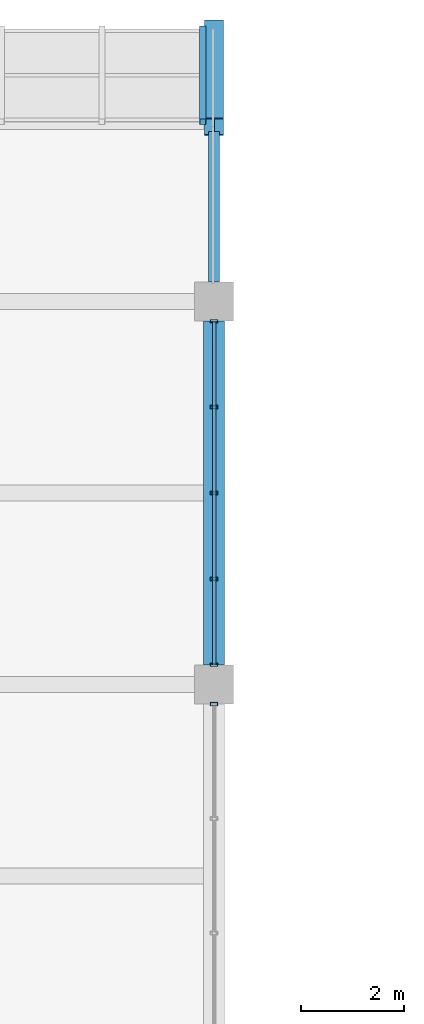
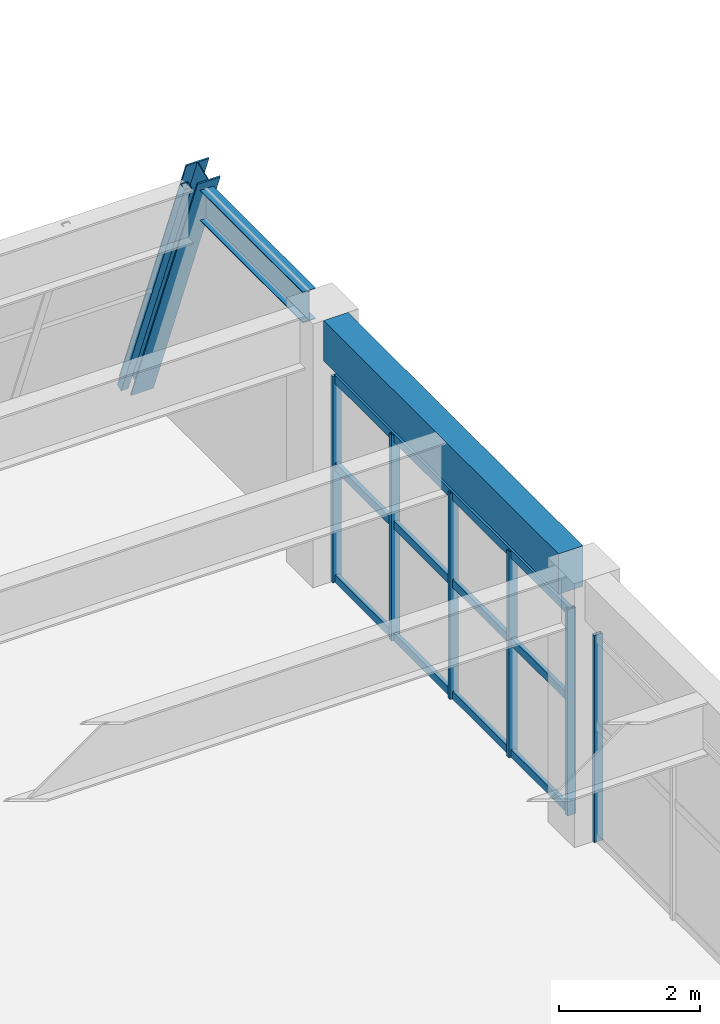
# One storey, part 104 of 161: 11 members, 2 beams, 3 elements without a shape of their own.
"""IFC4 building model written with IfcOpenShell, lengths in metres."""

from ifc_helpers import new_model, si_unit, direction, frame, origin, origin_2d, place, context, subcontext, project, spatial, rectangle, hollow_rectangle, i_section, extrude, material, material_profile, profile_set, type_object, element, aggregate, save


model = new_model("IFC4")

# Units and contexts
model_context = context("Model", 3, precision=1e-05, world=origin(), true_north=direction((0.0, 1.0)))
body_context = subcontext(model_context, "Body", "Model", "MODEL_VIEW")
ifc_project = project(units=[si_unit("LENGTHUNIT", "METRE"), si_unit("AREAUNIT", "SQUARE_METRE"), si_unit("VOLUMEUNIT", "CUBIC_METRE"), si_unit("PLANEANGLEUNIT", "RADIAN"), si_unit("MASSUNIT", "GRAM", prefix="KILO")], contexts=[model_context])

# Site, building, storey
site_placement = place(None, origin())
site = spatial("IfcSite", under=ifc_project, at=site_placement, CompositionType="ELEMENT")
building_placement = place(site_placement, origin())
building = spatial("IfcBuilding", under=site, at=building_placement, Name="Cimatlan Art Gallery", CompositionType="ELEMENT")
storey_placement = place(building_placement, frame((0.0, 0.0, 5.39990234375)))
storey = spatial("IfcBuildingStorey", under=building, at=storey_placement, Name="L01", CompositionType="ELEMENT", Elevation=5.39990234375)

# Beams
ifc_material_1 = material(Name="Concrete C40/50", Category="concrete")
ifc_material_profile_1 = material_profile(ifc_material_1, rectangle(XDim=0.39990234375, YDim=0.699951171875, at=origin_2d()), Name="RC400X700")
ifc_profile_set_1 = profile_set([ifc_material_profile_1], Name="Concrete C40/50")
beam_type_1 = type_object("IfcBeamType", Name="BM-RC-400X700", PredefinedType="BEAM", material=ifc_profile_set_1)
beam_1_placement = place(storey_placement, frame((99.199951171875, 98.27490234375, 4.210205078125), z_axis=(0.0, 1.0, 0.0), x_axis=(-1.0, 0.0, 0.0)))
element("IfcBeam", 1, at=beam_1_placement, inside=storey, type_object=beam_type_1, Name="BM-Y-L01-12-13", PredefinedType="BEAM", context=body_context, shape_type="SweptSolid", body=[
    extrude(rectangle(XDim=0.39990234375, YDim=0.699951171875, at=origin_2d()), origin(), (0.0, 0.0, 1.0), 6.650146484375),
])
ifc_material_2 = material(Name="Steel ASTM A992 Grade 50", Category="steel")
ifc_material_profile_2 = material_profile(ifc_material_2, i_section(OverallWidth=0.2099609375, OverallDepth=0.532958984375, WebThickness=0.01025390625, FlangeThickness=0.015625, at=origin_2d()), Name="W21X62")
ifc_profile_set_2 = profile_set([ifc_material_profile_2], Name="Steel ASTM A992 Grade 50")
beam_type_2 = type_object("IfcBeamType", Name="BM-STL-W21X62", PredefinedType="BEAM", material=ifc_profile_set_2)
beam_2_placement = place(storey_placement, frame((99.199951171875, 105.675048828125, 4.293701171875), z_axis=(0.0, 1.0, 0.0), x_axis=(-1.0, 0.0, 0.0)))
element("IfcBeam", 2, at=beam_2_placement, inside=storey, type_object=beam_type_2, Name="BM-PRW-Y-L01-B3-12", PredefinedType="BEAM", context=body_context, shape_type="SweptSolid", body=[
    extrude(i_section(OverallWidth=0.2099609375, OverallDepth=0.532958984375, WebThickness=0.01025390625, FlangeThickness=0.015625, at=origin_2d()), origin(), (0.0, 0.0, 1.0), 2.91162109375),
])

# Curtain wall, member
ifc_material_3 = material(Name="Anodised bronze unitised curtain wall")
curtain_wall_type_1 = type_object("IfcCurtainWallType", Name="CW-V-06642X03577-B3", PredefinedType="NOTDEFINED", material=ifc_material_3)
curtain_wall_1_placement = place(storey_placement, origin())
curtain_wall_1 = element("IfcCurtainWall", 3, at=curtain_wall_1_placement, inside=storey, type_object=curtain_wall_type_1, Name="CW-L01-11-12-E", PredefinedType="NOTDEFINED")
ifc_material_4 = material(Name="Anodised bronze aluminium 6063-T6", Category="aluminium")
ifc_material_profile_3 = material_profile(ifc_material_4, hollow_rectangle(XDim=0.06494140625, YDim=0.139892578125, WallThickness=0.00390625, at=origin_2d()), Name="ALU65X140X4")
ifc_profile_set_3 = profile_set([ifc_material_profile_3], Name="Anodised bronze aluminium 6063-T6")
member_type_1 = type_object("IfcMemberType", Name="CW-MUL-140", PredefinedType="MULLION", material=ifc_profile_set_3)
member_1_placement = place(storey_placement, frame((99.199951171875, 97.52099609375, 0.0), z_axis=(0.0, 0.0, 1.0), x_axis=(0.0, 1.0, 0.0)))
member_1 = element("IfcMember", 4, at=member_1_placement, type_object=member_type_1, Name="CW-L01-11-12-E-M1", PredefinedType="MULLION", context=body_context, shape_type="SweptSolid", body=[
    extrude(hollow_rectangle(XDim=0.06494140625, YDim=0.139892578125, WallThickness=0.00390625, at=origin_2d()), origin(), (0.0, 0.0, 1.0), 3.5771484375),
])
aggregate(curtain_wall_1, [member_1])

# Curtain wall, members
curtain_wall_type_2 = type_object("IfcCurtainWallType", Name="CW-V-06642X03562-B4", PredefinedType="NOTDEFINED", material=ifc_material_3)
curtain_wall_2_placement = place(storey_placement, origin())
curtain_wall_2 = element("IfcCurtainWall", 5, at=curtain_wall_2_placement, inside=storey, type_object=curtain_wall_type_2, Name="CW-L01-11-13-E", PredefinedType="NOTDEFINED")
member_2_placement = place(storey_placement, frame((99.199951171875, 104.9208984375, 0.0), z_axis=(0.0, 0.0, 1.0), x_axis=(0.0, 1.0, 0.0)))
member_2 = element("IfcMember", 6, at=member_2_placement, type_object=member_type_1, Name="CW-L01-11-13-E-M1", PredefinedType="MULLION", context=body_context, shape_type="SweptSolid", body=[
    extrude(hollow_rectangle(XDim=0.06494140625, YDim=0.139892578125, WallThickness=0.00390625, at=origin_2d()), origin(), (0.0, 0.0, 1.0), 3.56201171875),
])
member_3_placement = place(storey_placement, frame((99.199951171875, 103.260498046875, 0.0), z_axis=(0.0, 0.0, 1.0), x_axis=(0.0, 1.0, 0.0)))
member_3 = element("IfcMember", 7, at=member_3_placement, type_object=member_type_1, Name="CW-L01-11-13-E-M2", PredefinedType="MULLION", context=body_context, shape_type="SweptSolid", body=[
    extrude(hollow_rectangle(XDim=0.06494140625, YDim=0.139892578125, WallThickness=0.00390625, at=origin_2d()), origin(), (0.0, 0.0, 1.0), 3.56201171875),
])
member_4_placement = place(storey_placement, frame((99.199951171875, 101.60009765625, 0.0), z_axis=(0.0, 0.0, 1.0), x_axis=(0.0, 1.0, 0.0)))
member_4 = element("IfcMember", 8, at=member_4_placement, type_object=member_type_1, Name="CW-L01-11-13-E-M3", PredefinedType="MULLION", context=body_context, shape_type="SweptSolid", body=[
    extrude(hollow_rectangle(XDim=0.06494140625, YDim=0.139892578125, WallThickness=0.00390625, at=origin_2d()), origin(), (0.0, 0.0, 1.0), 3.56201171875),
])
member_5_placement = place(storey_placement, frame((99.199951171875, 99.939453125, 0.0), z_axis=(0.0, 0.0, 1.0), x_axis=(0.0, 1.0, 0.0)))
member_5 = element("IfcMember", 9, at=member_5_placement, type_object=member_type_1, Name="CW-L01-11-13-E-M4", PredefinedType="MULLION", context=body_context, shape_type="SweptSolid", body=[
    extrude(hollow_rectangle(XDim=0.06494140625, YDim=0.139892578125, WallThickness=0.00390625, at=origin_2d()), origin(), (0.0, 0.0, 1.0), 3.56201171875),
])
member_6_placement = place(storey_placement, frame((99.199951171875, 98.279052734375, 0.0), z_axis=(0.0, 0.0, 1.0), x_axis=(0.0, 1.0, 0.0)))
member_6 = element("IfcMember", 10, at=member_6_placement, type_object=member_type_1, Name="CW-L01-11-13-E-M5", PredefinedType="MULLION", context=body_context, shape_type="SweptSolid", body=[
    extrude(hollow_rectangle(XDim=0.06494140625, YDim=0.139892578125, WallThickness=0.00390625, at=origin_2d()), origin(), (0.0, 0.0, 1.0), 3.56201171875),
])

# Curtain wall, member
ifc_material_5 = material(Name="Raked steel-and-bronze lancet curtain wall", Category="steel")
curtain_wall_type_3 = type_object("IfcCurtainWallType", Name="CW-RAK-07790X04901-B4", PredefinedType="NOTDEFINED", material=ifc_material_5)
curtain_wall_3_placement = place(storey_placement, origin())
curtain_wall_3 = element("IfcCurtainWall", 11, at=curtain_wall_3_placement, inside=storey, type_object=curtain_wall_type_3, Name="CW-PROW-L01-B3-11", PredefinedType="NOTDEFINED")
ifc_material_6 = material(Name="Steel ASTM A500 Grade C", Category="steel")
ifc_material_profile_4 = material_profile(ifc_material_6, hollow_rectangle(XDim=0.1201171875, YDim=0.1201171875, WallThickness=0.00634765625, at=origin_2d()), Name="HSS120X120X6")
ifc_profile_set_4 = profile_set([ifc_material_profile_4], Name="Steel ASTM A500 Grade C")
member_type_2 = type_object("IfcMemberType", Name="CW-MUL-RAK", PredefinedType="MULLION", material=ifc_profile_set_4)
member_7_placement = place(storey_placement, frame((98.97998046875, 110.572998046875, 0.0), z_axis=(0.0, -0.366524518382, 0.930408392817), x_axis=(1.0, 0.0, 0.0)))
member_7 = element("IfcMember", 12, at=member_7_placement, type_object=member_type_2, Name="CW-PROW-L01-B3-11-M5", PredefinedType="MULLION", context=body_context, shape_type="SweptSolid", body=[
    extrude(hollow_rectangle(XDim=0.1201171875, YDim=0.1201171875, WallThickness=0.00634765625, at=origin_2d()), origin(), (0.0, 0.0, 1.0), 4.901123046875),
])
aggregate(curtain_wall_3, [member_7])

# Member
ifc_material_profile_5 = material_profile(ifc_material_4, hollow_rectangle(XDim=0.06494140625, YDim=0.139892578125, WallThickness=0.00390625, at=origin_2d()), Name="ALU65X140X4")
ifc_profile_set_5 = profile_set([ifc_material_profile_5], Name="Anodised bronze aluminium 6063-T6")
member_type_3 = type_object("IfcMemberType", Name="CW-TRN-140", PredefinedType="USERDEFINED", material=ifc_profile_set_5)
member_8_placement = place(storey_placement, frame((99.199951171875, 104.9208984375, 0.06005859375), z_axis=(0.0, -1.0, 0.0), x_axis=(1.0, 0.0, 0.0)))
member_8 = element("IfcMember", 13, at=member_8_placement, type_object=member_type_3, Name="CW-L01-11-13-E-T1", ObjectType="TRANSOM", PredefinedType="USERDEFINED", context=body_context, shape_type="SweptSolid", body=[
    extrude(hollow_rectangle(XDim=0.06494140625, YDim=0.139892578125, WallThickness=0.00390625, at=origin_2d()), origin(), (0.0, 0.0, 1.0), 6.641845703125),
])

member_9_placement = place(storey_placement, frame((99.199951171875, 104.9208984375, 1.994873046875), z_axis=(0.0, -1.0, 0.0), x_axis=(1.0, 0.0, 0.0)))
member_9 = element("IfcMember", 14, at=member_9_placement, type_object=member_type_3, Name="CW-L01-11-13-E-T2", ObjectType="TRANSOM", PredefinedType="USERDEFINED", context=body_context, shape_type="SweptSolid", body=[
    extrude(hollow_rectangle(XDim=0.06494140625, YDim=0.139892578125, WallThickness=0.00390625, at=origin_2d()), origin(), (0.0, 0.0, 1.0), 6.641845703125),
])

member_10_placement = place(storey_placement, frame((99.199951171875, 104.9208984375, 3.502197265625), z_axis=(0.0, -1.0, 0.0), x_axis=(1.0, 0.0, 0.0)))
member_10 = element("IfcMember", 15, at=member_10_placement, type_object=member_type_3, Name="CW-L01-11-13-E-T3", ObjectType="TRANSOM", PredefinedType="USERDEFINED", context=body_context, shape_type="SweptSolid", body=[
    extrude(hollow_rectangle(XDim=0.06494140625, YDim=0.139892578125, WallThickness=0.00390625, at=origin_2d()), origin(), (0.0, 0.0, 1.0), 6.641845703125),
])

aggregate(curtain_wall_2, [member_2, member_3, member_4, member_5, member_6, member_8, member_9, member_10])

ifc_material_profile_6 = material_profile(ifc_material_2, i_section(OverallWidth=0.37109375, OverallDepth=0.364013671875, WebThickness=0.01318359375, FlangeThickness=0.021728515625, at=origin_2d()), Name="W14X109")
ifc_profile_set_6 = profile_set([ifc_material_profile_6], Name="Steel ASTM A992 Grade 50")
member_type_4 = type_object("IfcMemberType", Name="MBR-RAK-W14X109", PredefinedType="RAFTER", material=ifc_profile_set_6)
member_11_placement = place(storey_placement, frame((99.199951171875, 110.572998046875, 0.0), z_axis=(0.0, -0.366514587358, 0.930412304978), x_axis=(1.0, 0.0, 0.0)))
element("IfcMember", 16, at=member_11_placement, inside=storey, type_object=member_type_4, Name="MBR-RAK-L01-B3-12", PredefinedType="RAFTER", context=body_context, shape_type="SweptSolid", body=[
    extrude(i_section(OverallWidth=0.37109375, OverallDepth=0.364013671875, WebThickness=0.01318359375, FlangeThickness=0.021728515625, at=origin_2d()), origin(), (0.0, 0.0, 1.0), 5.158935546875),
])

save(model, "model.ifc")
